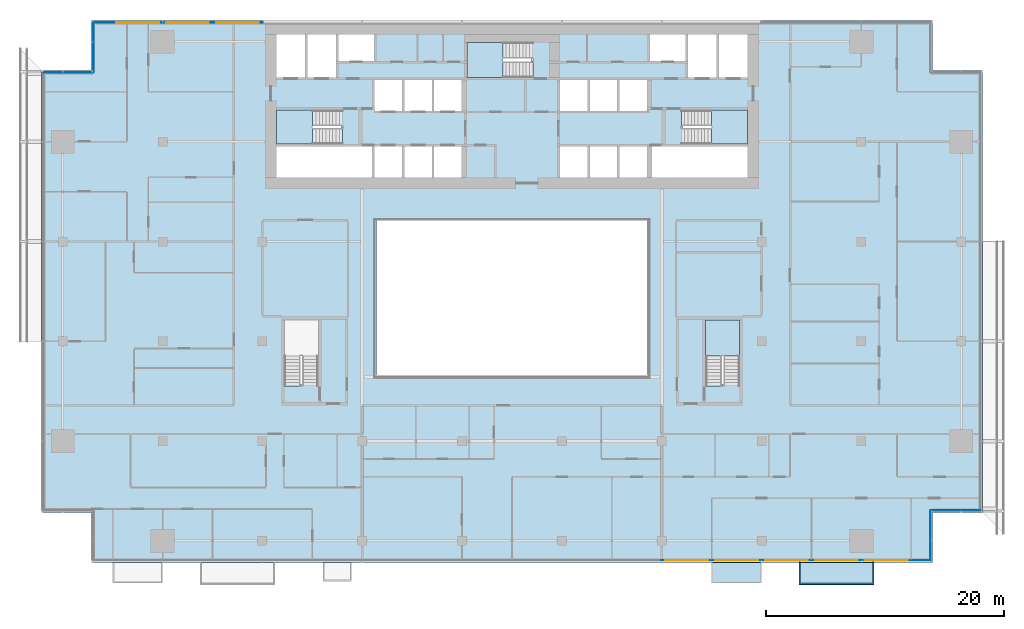
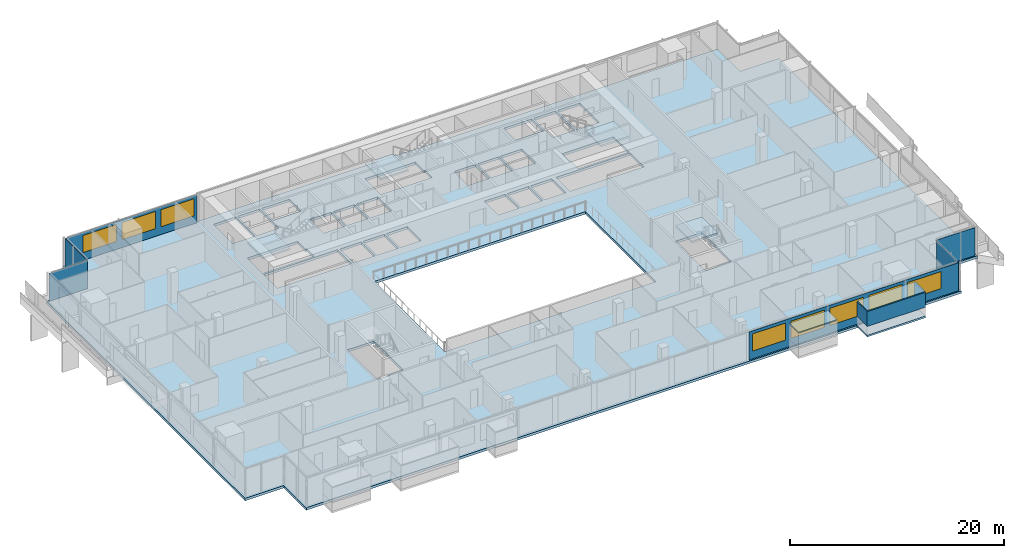
# One storey, part 16 of 27: 9 plates, 8 windows, 6 slabs, 8 openings, 10 elements without a shape of their own.
"""IFC4 building model written with IfcOpenShell, lengths in metres."""

from ifc_helpers import new_model, si_unit, direction, frame, frame_2d, origin, place, context, subcontext, project, spatial, polyline, rectangle, outline, extrude, material, layer, layer_set, type_object, element, fill, aggregate, save


model = new_model("IFC4")

# Units and contexts
model_context = context("Model", 3, precision=1e-05, world=origin(), true_north=direction((0.0, 1.0)))
body_context = subcontext(model_context, "Body", "Model", "MODEL_VIEW")
ifc_project = project(units=[si_unit("LENGTHUNIT", "METRE"), si_unit("AREAUNIT", "SQUARE_METRE"), si_unit("VOLUMEUNIT", "CUBIC_METRE"), si_unit("PLANEANGLEUNIT", "RADIAN"), si_unit("MASSUNIT", "GRAM", prefix="KILO")], contexts=[model_context])

# Site, building, storey
site_placement = place(None, origin())
site = spatial("IfcSite", under=ifc_project, at=site_placement, CompositionType="ELEMENT")
building_placement = place(site_placement, origin())
building = spatial("IfcBuilding", under=site, at=building_placement, Name="Saffron Gate Tower", CompositionType="ELEMENT")
storey_placement = place(building_placement, frame((0.0, 0.0, 109.64990234375)))
storey = spatial("IfcBuildingStorey", under=building, at=storey_placement, Name="L25", CompositionType="ELEMENT", Elevation=109.64990234375)

# Curtain wall, plate, openings, windows
ifc_material_1 = material(Name="Aluminium, bronze anodised", Category="aluminium")
curtain_wall_type_1 = type_object("IfcCurtainWallType", Name="CWS1 curtain wall front facade", PredefinedType="NOTDEFINED", material=ifc_material_1)
curtain_wall_1_placement = place(storey_placement, origin())
curtain_wall_1 = element("IfcCurtainWall", 1, at=curtain_wall_1_placement, inside=storey, type_object=curtain_wall_type_1, Name="CWS1 run 1", PredefinedType="NOTDEFINED")
ifc_material_2 = material(Name="Fritted bronze-tinted laminated glass", Category="glass")
ifc_layer_1 = layer(ifc_material_2, 0.028076171875)
ifc_layer_set_1 = layer_set([ifc_layer_1], Name="CWS1 fixed glass")
plate_type_1 = type_object("IfcPlateType", Name="CWS1 fixed glass", PredefinedType="CURTAIN_PANEL", material=ifc_layer_set_1)
plate_1_placement = place(storey_placement, frame((100.169921875, 30.174072265625, 0.0), z_axis=(0.0, 0.0, 1.0), x_axis=(1.0, 0.0, 0.0)))
plate_1 = element("IfcPlate", 2, at=plate_1_placement, type_object=plate_type_1, Name="CWS1 glass panel", PredefinedType="CURTAIN_PANEL", context=body_context, shape_type="SweptSolid", body=[
    extrude(rectangle(XDim=22.64208984375, YDim=0.028076171875, at=frame_2d((11.321044921875, 0.0))), origin(), (0.0, 0.0, 1.0), 3.2001953125),
])
opening_1_placement = place(plate_1_placement, frame((0.330078125, 0.0, 0.89990234375)))
opening_1 = element("IfcOpeningElement", 3, at=opening_1_placement, cuts=plate_1, Name="Opening W1", PredefinedType="OPENING", context=body_context, shape_type="SweptSolid", body=[
    extrude(rectangle(XDim=3.60009765625, YDim=1.949951171875, at=frame_2d((1.800048828125, 0.97509765625))), frame((0.0, 0.02392578125, 0.0), z_axis=(0.0, -1.0, 0.0), x_axis=(1.0, 0.0, 0.0)), (0.0, 0.0, 1.0), 0.048095703125),
])
opening_2_placement = place(plate_1_placement, frame((4.530029296875, 0.0, 0.89990234375)))
opening_2 = element("IfcOpeningElement", 4, at=opening_2_placement, cuts=plate_1, Name="Opening W1", PredefinedType="OPENING", context=body_context, shape_type="SweptSolid", body=[
    extrude(rectangle(XDim=3.60009765625, YDim=1.949951171875, at=frame_2d((1.800048828125, 0.97509765625))), frame((0.0, 0.02392578125, 0.0), z_axis=(0.0, -1.0, 0.0), x_axis=(1.0, 0.0, 0.0)), (0.0, 0.0, 1.0), 0.048095703125),
])
opening_3_placement = place(plate_1_placement, frame((8.72998046875, 0.0, 0.89990234375)))
opening_3 = element("IfcOpeningElement", 5, at=opening_3_placement, cuts=plate_1, Name="Opening W1", PredefinedType="OPENING", context=body_context, shape_type="SweptSolid", body=[
    extrude(rectangle(XDim=3.60009765625, YDim=1.949951171875, at=frame_2d((1.800048828125, 0.97509765625))), frame((0.0, 0.02392578125, 0.0), z_axis=(0.0, -1.0, 0.0), x_axis=(1.0, 0.0, 0.0)), (0.0, 0.0, 1.0), 0.048095703125),
])
opening_4_placement = place(plate_1_placement, frame((12.929931640625, 0.0, 0.89990234375)))
opening_4 = element("IfcOpeningElement", 6, at=opening_4_placement, cuts=plate_1, Name="Opening W1", PredefinedType="OPENING", context=body_context, shape_type="SweptSolid", body=[
    extrude(rectangle(XDim=3.60009765625, YDim=1.949951171875, at=frame_2d((1.800048828125, 0.97509765625))), frame((0.0, 0.02392578125, 0.0), z_axis=(0.0, -1.0, 0.0), x_axis=(1.0, 0.0, 0.0)), (0.0, 0.0, 1.0), 0.048095703125),
])
opening_5_placement = place(plate_1_placement, frame((17.1298828125, 0.0, 0.89990234375)))
opening_5 = element("IfcOpeningElement", 7, at=opening_5_placement, cuts=plate_1, Name="Opening W1", PredefinedType="OPENING", context=body_context, shape_type="SweptSolid", body=[
    extrude(rectangle(XDim=3.60009765625, YDim=1.949951171875, at=frame_2d((1.800048828125, 0.97509765625))), frame((0.0, 0.02392578125, 0.0), z_axis=(0.0, -1.0, 0.0), x_axis=(1.0, 0.0, 0.0)), (0.0, 0.0, 1.0), 0.048095703125),
])
ifc_material_3 = material(Name="Fritted bronze-tinted laminated glass in bronze frame", Category="glass")
ifc_layer_2 = layer(ifc_material_3, 0.06005859375)
ifc_layer_set_2 = layer_set([ifc_layer_2], Name="W1 operable panel 3600x1950")
window_type = type_object("IfcWindowType", Name="W1 operable panel 3600x1950", PartitioningType="DOUBLE_PANEL_HORIZONTAL", PredefinedType="WINDOW", material=ifc_layer_set_2)
window_1_placement = place(opening_1_placement, origin())
window_1 = element("IfcWindow", 8, at=window_1_placement, type_object=window_type, Name="W1 operable panel", OverallHeight=1.949951171875, OverallWidth=3.60009765625, PartitioningType="SINGLE_PANEL", PredefinedType="WINDOW", context=body_context, shape_type="SweptSolid", body=[
    extrude(rectangle(XDim=3.60009765625, YDim=1.949951171875, at=frame_2d((1.800048828125, 0.97509765625))), frame((0.0, 0.013671875, 0.0), z_axis=(0.0, -1.0, 0.0), x_axis=(1.0, 0.0, 0.0)), (0.0, 0.0, 1.0), 0.027587890625),
])
fill(opening_1, window_1)
window_2_placement = place(opening_2_placement, origin())
window_2 = element("IfcWindow", 9, at=window_2_placement, type_object=window_type, Name="W1 operable panel", OverallHeight=1.949951171875, OverallWidth=3.60009765625, PartitioningType="SINGLE_PANEL", PredefinedType="WINDOW", context=body_context, shape_type="SweptSolid", body=[
    extrude(rectangle(XDim=3.60009765625, YDim=1.949951171875, at=frame_2d((1.800048828125, 0.97509765625))), frame((0.0, 0.013671875, 0.0), z_axis=(0.0, -1.0, 0.0), x_axis=(1.0, 0.0, 0.0)), (0.0, 0.0, 1.0), 0.027587890625),
])
fill(opening_2, window_2)
window_3_placement = place(opening_3_placement, origin())
window_3 = element("IfcWindow", 10, at=window_3_placement, type_object=window_type, Name="W1 operable panel", OverallHeight=1.949951171875, OverallWidth=3.60009765625, PartitioningType="SINGLE_PANEL", PredefinedType="WINDOW", context=body_context, shape_type="SweptSolid", body=[
    extrude(rectangle(XDim=3.60009765625, YDim=1.949951171875, at=frame_2d((1.800048828125, 0.97509765625))), frame((0.0, 0.013671875, 0.0), z_axis=(0.0, -1.0, 0.0), x_axis=(1.0, 0.0, 0.0)), (0.0, 0.0, 1.0), 0.027587890625),
])
fill(opening_3, window_3)
window_4_placement = place(opening_4_placement, origin())
window_4 = element("IfcWindow", 11, at=window_4_placement, type_object=window_type, Name="W1 operable panel", OverallHeight=1.949951171875, OverallWidth=3.60009765625, PartitioningType="SINGLE_PANEL", PredefinedType="WINDOW", context=body_context, shape_type="SweptSolid", body=[
    extrude(rectangle(XDim=3.60009765625, YDim=1.949951171875, at=frame_2d((1.800048828125, 0.97509765625))), frame((0.0, 0.013671875, 0.0), z_axis=(0.0, -1.0, 0.0), x_axis=(1.0, 0.0, 0.0)), (0.0, 0.0, 1.0), 0.027587890625),
])
fill(opening_4, window_4)
window_5_placement = place(opening_5_placement, origin())
window_5 = element("IfcWindow", 12, at=window_5_placement, type_object=window_type, Name="W1 operable panel", OverallHeight=1.949951171875, OverallWidth=3.60009765625, PartitioningType="SINGLE_PANEL", PredefinedType="WINDOW", context=body_context, shape_type="SweptSolid", body=[
    extrude(rectangle(XDim=3.60009765625, YDim=1.949951171875, at=frame_2d((1.800048828125, 0.97509765625))), frame((0.0, 0.013671875, 0.0), z_axis=(0.0, -1.0, 0.0), x_axis=(1.0, 0.0, 0.0)), (0.0, 0.0, 1.0), 0.027587890625),
])
fill(opening_5, window_5)
aggregate(curtain_wall_1, [plate_1, window_1, window_2, window_3, window_4, window_5])

curtain_wall_type_2 = type_object("IfcCurtainWallType", Name="CWS3 curtain wall rear facade", PredefinedType="NOTDEFINED", material=ifc_material_1)
curtain_wall_2_placement = place(storey_placement, origin())
curtain_wall_2 = element("IfcCurtainWall", 13, at=curtain_wall_2_placement, inside=storey, type_object=curtain_wall_type_2, Name="CWS3 run 7", PredefinedType="NOTDEFINED")
ifc_material_4 = material(Name="Fritted grey-tinted laminated glass", Category="glass")
ifc_layer_3 = layer(ifc_material_4, 0.028076171875)
ifc_layer_set_3 = layer_set([ifc_layer_3], Name="CWS3 fixed glass")
plate_type_2 = type_object("IfcPlateType", Name="CWS3 fixed glass", PredefinedType="CURTAIN_PANEL", material=ifc_layer_set_3)
plate_2_placement = place(storey_placement, frame((66.635009765625, 75.426025390625, 0.0), z_axis=(0.0, 0.0, 1.0), x_axis=(-1.0, 0.0, 0.0)))
plate_2 = element("IfcPlate", 14, at=plate_2_placement, type_object=plate_type_2, Name="CWS3 glass panel", PredefinedType="CURTAIN_PANEL", context=body_context, shape_type="SweptSolid", body=[
    extrude(rectangle(XDim=14.2470703125, YDim=0.028076171875, at=frame_2d((7.12353515625, 0.0))), origin(), (0.0, 0.0, 1.0), 3.2001953125),
])
opening_6_placement = place(plate_2_placement, frame((0.3349609375, 0.0, 0.89990234375)))
opening_6 = element("IfcOpeningElement", 15, at=opening_6_placement, cuts=plate_2, Name="Opening W1", PredefinedType="OPENING", context=body_context, shape_type="SweptSolid", body=[
    extrude(rectangle(XDim=3.60009765625, YDim=1.949951171875, at=frame_2d((1.800048828125, 0.97509765625))), frame((0.0, 0.02392578125, 0.0), z_axis=(0.0, -1.0, 0.0), x_axis=(1.0, 0.0, 0.0)), (0.0, 0.0, 1.0), 0.048095703125),
])
opening_7_placement = place(plate_2_placement, frame((4.534912109375, 0.0, 0.89990234375)))
opening_7 = element("IfcOpeningElement", 16, at=opening_7_placement, cuts=plate_2, Name="Opening W1", PredefinedType="OPENING", context=body_context, shape_type="SweptSolid", body=[
    extrude(rectangle(XDim=3.60009765625, YDim=1.949951171875, at=frame_2d((1.800048828125, 0.97509765625))), frame((0.0, 0.02392578125, 0.0), z_axis=(0.0, -1.0, 0.0), x_axis=(1.0, 0.0, 0.0)), (0.0, 0.0, 1.0), 0.048095703125),
])
opening_8_placement = place(plate_2_placement, frame((8.735107421875, 0.0, 0.89990234375)))
opening_8 = element("IfcOpeningElement", 17, at=opening_8_placement, cuts=plate_2, Name="Opening W1", PredefinedType="OPENING", context=body_context, shape_type="SweptSolid", body=[
    extrude(rectangle(XDim=3.60009765625, YDim=1.949951171875, at=frame_2d((1.800048828125, 0.97509765625))), frame((0.0, 0.02392578125, 0.0), z_axis=(0.0, -1.0, 0.0), x_axis=(1.0, 0.0, 0.0)), (0.0, 0.0, 1.0), 0.048095703125),
])
window_6_placement = place(opening_6_placement, origin())
window_6 = element("IfcWindow", 18, at=window_6_placement, type_object=window_type, Name="W1 operable panel", OverallHeight=1.949951171875, OverallWidth=3.60009765625, PartitioningType="SINGLE_PANEL", PredefinedType="WINDOW", context=body_context, shape_type="SweptSolid", body=[
    extrude(rectangle(XDim=3.60009765625, YDim=1.949951171875, at=frame_2d((1.800048828125, 0.97509765625))), frame((0.0, 0.013671875, 0.0), z_axis=(0.0, -1.0, 0.0), x_axis=(1.0, 0.0, 0.0)), (0.0, 0.0, 1.0), 0.027587890625),
])
fill(opening_6, window_6)
window_7_placement = place(opening_7_placement, origin())
window_7 = element("IfcWindow", 19, at=window_7_placement, type_object=window_type, Name="W1 operable panel", OverallHeight=1.949951171875, OverallWidth=3.60009765625, PartitioningType="SINGLE_PANEL", PredefinedType="WINDOW", context=body_context, shape_type="SweptSolid", body=[
    extrude(rectangle(XDim=3.60009765625, YDim=1.949951171875, at=frame_2d((1.800048828125, 0.97509765625))), frame((0.0, 0.013671875, 0.0), z_axis=(0.0, -1.0, 0.0), x_axis=(1.0, 0.0, 0.0)), (0.0, 0.0, 1.0), 0.027587890625),
])
fill(opening_7, window_7)
window_8_placement = place(opening_8_placement, origin())
window_8 = element("IfcWindow", 20, at=window_8_placement, type_object=window_type, Name="W1 operable panel", OverallHeight=1.949951171875, OverallWidth=3.60009765625, PartitioningType="SINGLE_PANEL", PredefinedType="WINDOW", context=body_context, shape_type="SweptSolid", body=[
    extrude(rectangle(XDim=3.60009765625, YDim=1.949951171875, at=frame_2d((1.800048828125, 0.97509765625))), frame((0.0, 0.013671875, 0.0), z_axis=(0.0, -1.0, 0.0), x_axis=(1.0, 0.0, 0.0)), (0.0, 0.0, 1.0), 0.027587890625),
])
fill(opening_8, window_8)
aggregate(curtain_wall_2, [plate_2, window_6, window_7, window_8])

# Curtain wall, plate
curtain_wall_type_3 = type_object("IfcCurtainWallType", Name="CWS4 curtain wall corner returns", PredefinedType="NOTDEFINED", material=ifc_material_1)
curtain_wall_3_placement = place(storey_placement, origin())
curtain_wall_3 = element("IfcCurtainWall", 21, at=curtain_wall_3_placement, inside=storey, type_object=curtain_wall_type_3, Name="CWS4 run 2", PredefinedType="NOTDEFINED")
ifc_layer_4 = layer(ifc_material_2, 0.028076171875)
ifc_layer_set_4 = layer_set([ifc_layer_4], Name="CWS4 fixed glass")
plate_type_3 = type_object("IfcPlateType", Name="CWS4 fixed glass", PredefinedType="CURTAIN_PANEL", material=ifc_layer_set_4)
plate_3_placement = place(storey_placement, frame((122.825927734375, 30.18798828125, 0.0), z_axis=(0.0, 0.0, 1.0), x_axis=(0.0, 1.0, 0.0)))
plate_3 = element("IfcPlate", 22, at=plate_3_placement, type_object=plate_type_3, Name="CWS4 glass panel", PredefinedType="CURTAIN_PANEL", context=body_context, shape_type="SweptSolid", body=[
    extrude(rectangle(XDim=4.172119140625, YDim=0.028076171875, at=frame_2d((2.0859375, 0.0))), origin(), (0.0, 0.0, 1.0), 3.2001953125),
])
aggregate(curtain_wall_3, [plate_3])

curtain_wall_4_placement = place(storey_placement, origin())
curtain_wall_4 = element("IfcCurtainWall", 23, at=curtain_wall_4_placement, inside=storey, type_object=curtain_wall_type_3, Name="CWS4 run 3", PredefinedType="NOTDEFINED")
plate_4_placement = place(storey_placement, frame((122.840087890625, 34.3740234375, 0.0), z_axis=(0.0, 0.0, 1.0), x_axis=(1.0, 0.0, 0.0)))
plate_4 = element("IfcPlate", 24, at=plate_4_placement, type_object=plate_type_3, Name="CWS4 glass panel", PredefinedType="CURTAIN_PANEL", context=body_context, shape_type="SweptSolid", body=[
    extrude(rectangle(XDim=4.171875, YDim=0.028076171875, at=frame_2d((2.0859375, 0.0))), origin(), (0.0, 0.0, 1.0), 3.2001953125),
])
aggregate(curtain_wall_4, [plate_4])

curtain_wall_5_placement = place(storey_placement, origin())
curtain_wall_5 = element("IfcCurtainWall", 25, at=curtain_wall_5_placement, inside=storey, type_object=curtain_wall_type_3, Name="CWS4 run 8", PredefinedType="NOTDEFINED")
plate_5_placement = place(storey_placement, frame((52.3740234375, 75.412109375, 0.0), z_axis=(0.0, 0.0, 1.0), x_axis=(0.0, -1.0, 0.0)))
plate_5 = element("IfcPlate", 26, at=plate_5_placement, type_object=plate_type_3, Name="CWS4 glass panel", PredefinedType="CURTAIN_PANEL", context=body_context, shape_type="SweptSolid", body=[
    extrude(rectangle(XDim=4.172119140625, YDim=0.028076171875, at=frame_2d((2.0859375, 0.0))), origin(), (0.0, 0.0, 1.0), 3.2001953125),
])
aggregate(curtain_wall_5, [plate_5])

curtain_wall_6_placement = place(storey_placement, origin())
curtain_wall_6 = element("IfcCurtainWall", 27, at=curtain_wall_6_placement, inside=storey, type_object=curtain_wall_type_3, Name="CWS4 run 9", PredefinedType="NOTDEFINED")
plate_6_placement = place(storey_placement, frame((52.360107421875, 71.22607421875, 0.0), z_axis=(0.0, 0.0, 1.0), x_axis=(-1.0, 0.0, 0.0)))
plate_6 = element("IfcPlate", 28, at=plate_6_placement, type_object=plate_type_3, Name="CWS4 glass panel", PredefinedType="CURTAIN_PANEL", context=body_context, shape_type="SweptSolid", body=[
    extrude(rectangle(XDim=4.172119140625, YDim=0.028076171875, at=frame_2d((2.0859375, 0.0))), origin(), (0.0, 0.0, 1.0), 3.2001953125),
])
aggregate(curtain_wall_6, [plate_6])

# Slab
ifc_material_5 = material(Name="Concrete C40", Category="concrete")
ifc_layer_5 = layer(ifc_material_5, 0.280029296875)
ifc_layer_set_5 = layer_set([ifc_layer_5], Name="S2 FLOOR SLAB 280 CONCRETE C40")
slab_type_1 = type_object("IfcSlabType", Name="S2 FLOOR SLAB 280 CONCRETE C40", PredefinedType="FLOOR", material=ifc_layer_set_5)
slab_1_placement = place(storey_placement, frame((0.0, 0.0, -0.27978515625)))
element("IfcSlab", 29, at=slab_1_placement, inside=storey, type_object=slab_type_1, Name="S2 FLOOR SLAB", PredefinedType="FLOOR", context=body_context, shape_type="SweptSolid", body=[
    extrude(outline(polyline([(48.0, 34.199951171875), (52.199951171875, 34.199951171875), (52.199951171875, 30.0), (123.0, 30.0), (123.0, 34.199951171875), (127.199951171875, 34.199951171875), (127.199951171875, 71.39990234375), (123.0, 71.39990234375), (123.0, 75.60009765625), (52.199951171875, 75.60009765625), (52.199951171875, 71.39990234375), (48.0, 71.39990234375), (48.0, 34.199951171875)]), holes=[polyline([(67.800048828125, 62.39990234375), (67.800048828125, 65.0), (75.800048828125, 65.0), (75.800048828125, 62.39990234375), (67.800048828125, 62.39990234375)]), polyline([(67.800048828125, 65.199951171875), (67.800048828125, 68.050048828125), (73.25, 68.050048828125), (73.25, 66.550048828125), (73.34912109375, 66.550048828125), (73.34912109375, 65.199951171875), (67.800048828125, 65.199951171875)]), polyline([(67.800048828125, 70.800048828125), (67.800048828125, 74.39990234375), (70.199951171875, 74.39990234375), (70.199951171875, 70.800048828125), (67.800048828125, 70.800048828125)]), polyline([(68.449951171875, 44.85107421875), (68.449951171875, 50.39990234375), (71.300048828125, 50.39990234375), (71.300048828125, 44.949951171875), (69.800048828125, 44.949951171875), (69.800048828125, 44.85107421875), (68.449951171875, 44.85107421875)]), polyline([(70.39990234375, 70.800048828125), (70.39990234375, 74.39990234375), (72.800048828125, 74.39990234375), (72.800048828125, 70.800048828125), (70.39990234375, 70.800048828125)]), polyline([(73.0, 72.199951171875), (73.0, 74.39990234375), (76.0, 74.39990234375), (76.0, 72.199951171875), (73.0, 72.199951171875)]), polyline([(76.050048828125, 62.39990234375), (76.050048828125, 65.0), (78.35009765625, 65.0), (78.35009765625, 62.39990234375), (76.050048828125, 62.39990234375)]), polyline([(76.050048828125, 68.0), (76.050048828125, 70.60009765625), (78.35009765625, 70.60009765625), (78.35009765625, 68.0), (76.050048828125, 68.0)]), polyline([(76.199951171875, 45.60009765625), (76.199951171875, 58.800048828125), (99.0, 58.800048828125), (99.0, 45.60009765625), (76.199951171875, 45.60009765625)]), polyline([(78.550048828125, 62.39990234375), (78.550048828125, 65.0), (80.85009765625, 65.0), (80.85009765625, 62.39990234375), (78.550048828125, 62.39990234375)]), polyline([(78.550048828125, 68.0), (78.550048828125, 70.60009765625), (80.85009765625, 70.60009765625), (80.85009765625, 68.0), (78.550048828125, 68.0)]), polyline([(81.050048828125, 62.39990234375), (81.050048828125, 65.0), (83.35009765625, 65.0), (83.35009765625, 62.39990234375), (81.050048828125, 62.39990234375)]), polyline([(81.050048828125, 68.0), (81.050048828125, 70.60009765625), (83.35009765625, 70.60009765625), (83.35009765625, 68.0), (81.050048828125, 68.0)]), polyline([(83.800048828125, 70.800048828125), (83.800048828125, 73.75), (89.25, 73.75), (89.25, 72.14990234375), (89.34912109375, 72.14990234375), (89.34912109375, 70.800048828125), (83.800048828125, 70.800048828125)]), polyline([(91.64990234375, 62.39990234375), (91.64990234375, 65.0), (93.949951171875, 65.0), (93.949951171875, 62.39990234375), (91.64990234375, 62.39990234375)]), polyline([(91.64990234375, 68.0), (91.64990234375, 70.60009765625), (93.949951171875, 70.60009765625), (93.949951171875, 68.0), (91.64990234375, 68.0)]), polyline([(94.14990234375, 62.39990234375), (94.14990234375, 65.0), (96.449951171875, 65.0), (96.449951171875, 62.39990234375), (94.14990234375, 62.39990234375)]), polyline([(94.14990234375, 68.0), (94.14990234375, 70.60009765625), (96.449951171875, 70.60009765625), (96.449951171875, 68.0), (94.14990234375, 68.0)]), polyline([(96.64990234375, 62.39990234375), (96.64990234375, 65.0), (98.949951171875, 65.0), (98.949951171875, 62.39990234375), (96.64990234375, 62.39990234375)]), polyline([(96.64990234375, 68.0), (96.64990234375, 70.60009765625), (98.949951171875, 70.60009765625), (98.949951171875, 68.0), (96.64990234375, 68.0)]), polyline([(99.199951171875, 72.199951171875), (99.199951171875, 74.39990234375), (102.199951171875, 74.39990234375), (102.199951171875, 72.199951171875), (99.199951171875, 72.199951171875)]), polyline([(99.39990234375, 62.39990234375), (99.39990234375, 65.0), (107.39990234375, 65.0), (107.39990234375, 62.39990234375), (99.39990234375, 62.39990234375)]), polyline([(101.85107421875, 66.699951171875), (101.85107421875, 68.050048828125), (107.39990234375, 68.050048828125), (107.39990234375, 65.199951171875), (101.949951171875, 65.199951171875), (101.949951171875, 66.699951171875), (101.85107421875, 66.699951171875)]), polyline([(102.39990234375, 70.800048828125), (102.39990234375, 74.39990234375), (104.800048828125, 74.39990234375), (104.800048828125, 70.800048828125), (102.39990234375, 70.800048828125)]), polyline([(103.89990234375, 44.85107421875), (103.89990234375, 50.39990234375), (106.75, 50.39990234375), (106.75, 44.949951171875), (105.25, 44.949951171875), (105.25, 44.85107421875), (103.89990234375, 44.85107421875)]), polyline([(105.0, 70.800048828125), (105.0, 74.39990234375), (107.39990234375, 74.39990234375), (107.39990234375, 70.800048828125), (105.0, 70.800048828125)])]), origin(), (0.0, 0.0, 1.0), 0.27978515625),
])

# Stair, slab
stair_type = type_object("IfcStairType", Name="ST7 Stair 1350 wide, 20 risers of 180", PredefinedType="HALF_TURN_STAIR", material=ifc_material_5)
stair_1_placement = place(storey_placement, origin())
stair_1 = element("IfcStair", 30, at=stair_1_placement, inside=storey, type_object=stair_type, Name="L25 Exit stair A", PredefinedType="HALF_TURN_STAIR")
ifc_layer_6 = layer(ifc_material_5, 0.199951171875)
ifc_layer_set_6 = layer_set([ifc_layer_6], Name="SL1 Stair landing 200")
slab_type_2 = type_object("IfcSlabType", Name="SL1 Stair landing 200", PredefinedType="LANDING", material=ifc_layer_set_6)
slab_2_placement = place(storey_placement, frame((0.0, 0.0, 1.60009765625)))
slab_2 = element("IfcSlab", 31, at=slab_2_placement, type_object=slab_type_2, Name="ST-A landing 1", PredefinedType="LANDING", context=body_context, shape_type="SweptSolid", body=[
    extrude(outline(polyline([(70.830078125, 68.050048828125), (67.800048828125, 68.050048828125), (67.800048828125, 65.199951171875), (70.830078125, 65.199951171875), (70.830078125, 68.050048828125)])), origin(), (0.0, 0.0, 1.0), 0.199951171875),
])
aggregate(stair_1, [slab_2])

stair_2_placement = place(storey_placement, origin())
stair_2 = element("IfcStair", 32, at=stair_2_placement, inside=storey, type_object=stair_type, Name="L25 Exit stair B", PredefinedType="HALF_TURN_STAIR")
slab_3_placement = place(storey_placement, frame((0.0, 0.0, 1.60009765625)))
slab_3 = element("IfcSlab", 33, at=slab_3_placement, type_object=slab_type_2, Name="ST-B landing 1", PredefinedType="LANDING", context=body_context, shape_type="SweptSolid", body=[
    extrude(outline(polyline([(104.3701171875, 65.199951171875), (107.39990234375, 65.199951171875), (107.39990234375, 68.050048828125), (104.3701171875, 68.050048828125), (104.3701171875, 65.199951171875)])), origin(), (0.0, 0.0, 1.0), 0.199951171875),
])
aggregate(stair_2, [slab_3])

stair_3_placement = place(storey_placement, origin())
stair_3 = element("IfcStair", 34, at=stair_3_placement, inside=storey, type_object=stair_type, Name="L25 Exit stair C", PredefinedType="HALF_TURN_STAIR")
slab_4_placement = place(storey_placement, frame((0.0, 0.0, 1.60009765625)))
slab_4 = element("IfcSlab", 35, at=slab_4_placement, type_object=slab_type_2, Name="ST-C landing 1", PredefinedType="LANDING", context=body_context, shape_type="SweptSolid", body=[
    extrude(outline(polyline([(86.830078125, 73.75), (83.800048828125, 73.75), (83.800048828125, 70.800048828125), (86.830078125, 70.800048828125), (86.830078125, 73.75)])), origin(), (0.0, 0.0, 1.0), 0.199951171875),
])
aggregate(stair_3, [slab_4])

stair_4_placement = place(storey_placement, origin())
stair_4 = element("IfcStair", 36, at=stair_4_placement, inside=storey, type_object=stair_type, Name="L25 Exit stair E", PredefinedType="HALF_TURN_STAIR")
slab_5_placement = place(storey_placement, frame((0.0, 0.0, 1.60009765625)))
slab_5 = element("IfcSlab", 37, at=slab_5_placement, type_object=slab_type_2, Name="ST-E landing 1", PredefinedType="LANDING", context=body_context, shape_type="SweptSolid", body=[
    extrude(outline(polyline([(106.75, 47.3701171875), (106.75, 50.39990234375), (103.89990234375, 50.39990234375), (103.89990234375, 47.3701171875), (106.75, 47.3701171875)])), origin(), (0.0, 0.0, 1.0), 0.199951171875),
])
aggregate(stair_4, [slab_5])

# Slab
ifc_material_6 = material(Name="Timber deck on bronze frame", Category="wood")
ifc_layer_7 = layer(ifc_material_6, 0.199951171875)
ifc_layer_set_7 = layer_set([ifc_layer_7], Name="WB1 box floor")
slab_type_3 = type_object("IfcSlabType", Name="WB1 box floor", PredefinedType="FLOOR", material=ifc_layer_set_7)
slab_6_placement = place(storey_placement, frame((0.0, 0.0, -0.199951171875)))
element("IfcSlab", 38, at=slab_6_placement, inside=storey, type_object=slab_type_3, Name="WINDOW BOX floor", PredefinedType="FLOOR", context=body_context, shape_type="SweptSolid", body=[
    extrude(outline(polyline([(111.75, 30.0), (118.050048828125, 30.0), (118.050048828125, 28.133056640625), (111.75, 28.133056640625), (111.75, 30.0)])), origin(), (0.0, 0.0, 1.0), 0.199951171875),
])

# Plates
ifc_layer_8 = layer(ifc_material_1, 0.1201171875)
ifc_layer_set_8 = layer_set([ifc_layer_8], Name="WB2 box roof")
plate_type_4 = type_object("IfcPlateType", Name="WB2 box roof", PredefinedType="SHEET", material=ifc_layer_set_8)
plate_7_placement = place(storey_placement, frame((0.0, 0.0, 2.7001953125)))
element("IfcPlate", 39, at=plate_7_placement, inside=storey, type_object=plate_type_4, Name="WINDOW BOX roof", PredefinedType="SHEET", context=body_context, shape_type="SweptSolid", body=[
    extrude(outline(polyline([(104.39990234375, 30.0), (108.60009765625, 30.0), (108.60009765625, 28.26708984375), (104.39990234375, 28.26708984375), (104.39990234375, 30.0)])), origin(), (0.0, 0.0, 1.0), 0.119873046875),
])
plate_8_placement = place(storey_placement, frame((0.0, 0.0, 2.7001953125)))
element("IfcPlate", 40, at=plate_8_placement, inside=storey, type_object=plate_type_4, Name="WINDOW BOX roof", PredefinedType="SHEET", context=body_context, shape_type="SweptSolid", body=[
    extrude(outline(polyline([(111.75, 30.0), (118.050048828125, 30.0), (118.050048828125, 28.133056640625), (111.75, 28.133056640625), (111.75, 30.0)])), origin(), (0.0, 0.0, 1.0), 0.119873046875),
])
ifc_material_7 = material(Name="Clear low-iron laminated glass", Category="glass")
ifc_layer_9 = layer(ifc_material_7, 0.10009765625)
ifc_layer_set_9 = layer_set([ifc_layer_9], Name="WB6 box glazing")
plate_type_5 = type_object("IfcPlateType", Name="WB6 box glazing", PredefinedType="SHEET", material=ifc_layer_set_9)
plate_9_placement = place(storey_placement, frame((0.0, 0.0, 1.0)))
element("IfcPlate", 41, at=plate_9_placement, inside=storey, type_object=plate_type_5, Name="WINDOW BOX glazing", PredefinedType="SHEET", context=body_context, shape_type="SweptSolid", body=[
    extrude(outline(polyline([(111.75, 30.0), (111.85009765625, 30.0), (111.85009765625, 28.23291015625), (117.949951171875, 28.23291015625), (117.949951171875, 30.0), (118.050048828125, 30.0), (118.050048828125, 28.133056640625), (111.75, 28.133056640625), (111.75, 30.0)])), origin(), (0.0, 0.0, 1.0), 1.7001953125),
])

save(model, "model.ifc")
